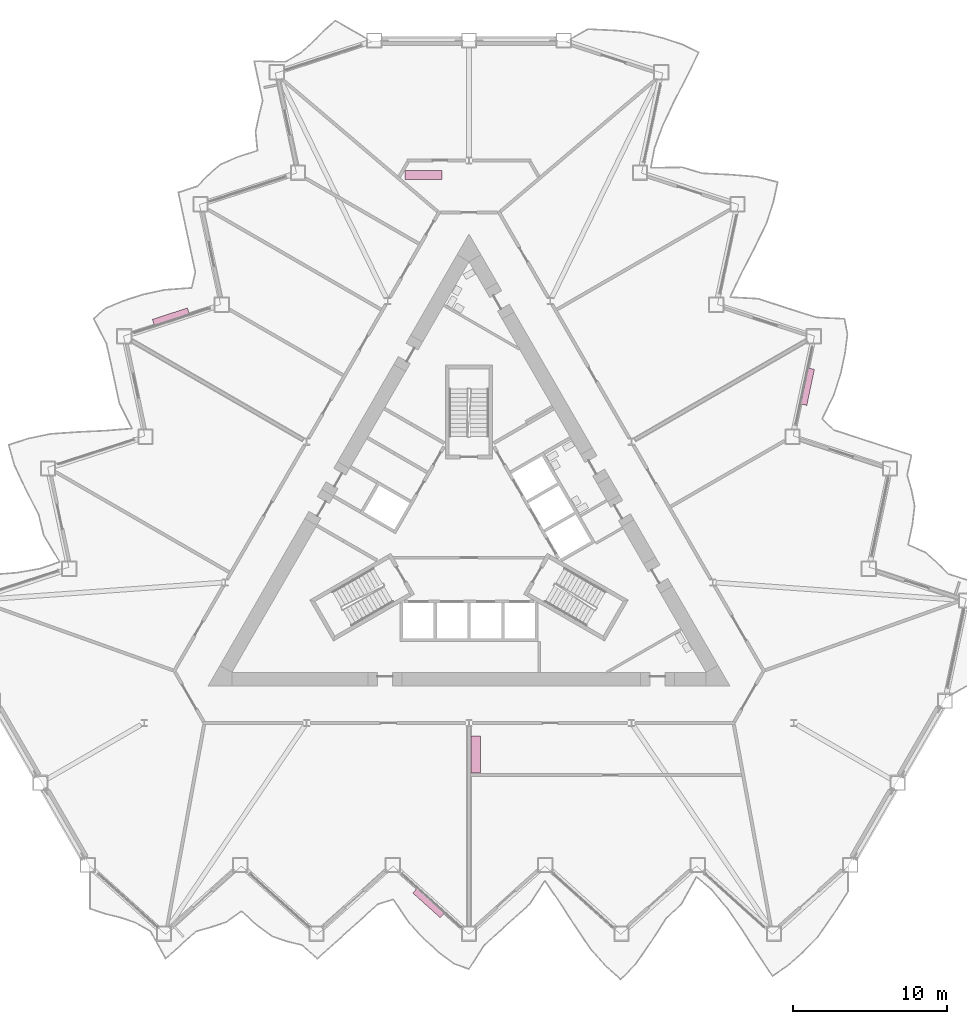
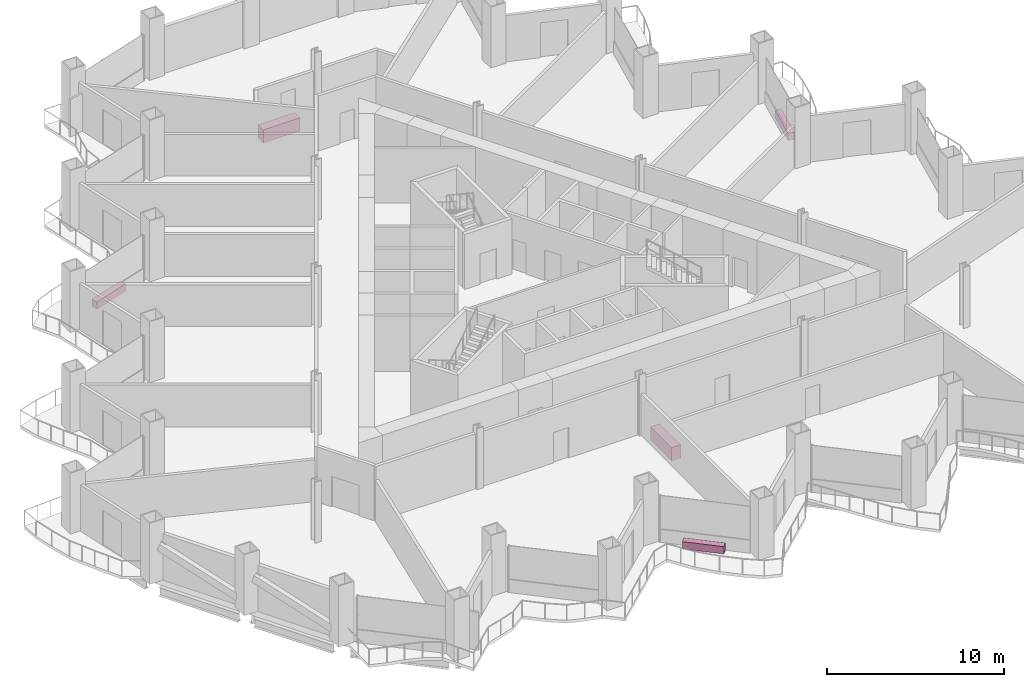
# One storey, part 21 of 21: 5 furniture elements.
"""IFC4 building model written with IfcOpenShell, lengths in metres."""

from ifc_helpers import new_model, si_unit, direction, frame, origin, origin_2d, place, context, subcontext, project, spatial, rectangle, extrude, material, type_object, element, save


model = new_model("IFC4")

# Units and contexts
model_context = context("Model", 3, precision=1e-05, world=origin(), true_north=direction((0.0, 1.0)))
body_context = subcontext(model_context, "Body", "Model", "MODEL_VIEW")
ifc_project = project(units=[si_unit("LENGTHUNIT", "METRE"), si_unit("AREAUNIT", "SQUARE_METRE"), si_unit("VOLUMEUNIT", "CUBIC_METRE"), si_unit("PLANEANGLEUNIT", "RADIAN"), si_unit("MASSUNIT", "GRAM", prefix="KILO")], contexts=[model_context])

# Site, building, storey
site_placement = place(None, origin())
site = spatial("IfcSite", under=ifc_project, at=site_placement, CompositionType="ELEMENT")
building_placement = place(site_placement, origin())
building = spatial("IfcBuilding", under=site, at=building_placement, Name="Cormorant Prow Tower", CompositionType="ELEMENT")
storey_placement = place(building_placement, frame((0.0, 0.0, 80.39990234375)))
storey = spatial("IfcBuildingStorey", under=building, at=storey_placement, Name="L17", CompositionType="ELEMENT", Elevation=80.39990234375)

# Furniture
ifc_material_1 = material(Name="Terracotta", Category="masonry")
furniture_type_1 = type_object("IfcFurnitureType", Name="Balcony planter 2400x400x500", AssemblyPlace="NOTDEFINED", PredefinedType="USERDEFINED", material=ifc_material_1)
for number, where, z_axis, x_axis, name in (
    (1, (-2.637451171875, -23.94384765625, 0.0), (0.0, 0.0, 1.0), (0.743144814546, -0.669130618499, 0.0), "Balcony planter S04"),
    (2, (22.0546875, 9.687744140625, 0.0), (0.0, 0.0, 1.0), (0.207911722401, 0.978147594021, 0.0), "Balcony planter ENE04"),
    (3, (-19.417236328125, 14.256103515625, 0.0), (0.0, 0.0, 1.0), (-0.951056501658, -0.309017039425, 0.0), "Balcony planter WNW04"),
):
    element("IfcFurniture", number, at=place(storey_placement, frame(where, z_axis=z_axis, x_axis=x_axis)), inside=storey, type_object=furniture_type_1, Name=name, ObjectType="PLANTER", PredefinedType="USERDEFINED", context=body_context, shape_type="SweptSolid", body=[
        extrude(rectangle(XDim=2.39990234375, YDim=0.39990234375, at=origin_2d()), origin(), (0.0, 0.0, 1.0), 0.5),
    ])
ifc_material_2 = material(Name="Timber joinery", Category="wood")
furniture_type_2 = type_object("IfcFurnitureType", Name="Kitchen counter 2400x600", AssemblyPlace="NOTDEFINED", PredefinedType="NOTDEFINED", material=ifc_material_2)
for number, where, z_axis, x_axis, name in (
    (4, (0.445068359375, -14.27001953125, 0.000244140625), (0.0, 0.0, 1.0), (0.0, 1.0, 0.0), "Kitchen counter"),
    (5, (-2.974365234375, 23.474853515625, 0.000244140625), (0.0, 0.0, 1.0), (1.0, 0.0, 0.0), "Kitchen counter"),
):
    element("IfcFurniture", number, at=place(storey_placement, frame(where, z_axis=z_axis, x_axis=x_axis)), inside=storey, type_object=furniture_type_2, Name=name, PredefinedType="NOTDEFINED", context=body_context, shape_type="SweptSolid", body=[
        extrude(rectangle(XDim=2.39990234375, YDim=0.60009765625, at=origin_2d()), origin(), (0.0, 0.0, 1.0), 0.89990234375),
    ])

save(model, "model.ifc")
